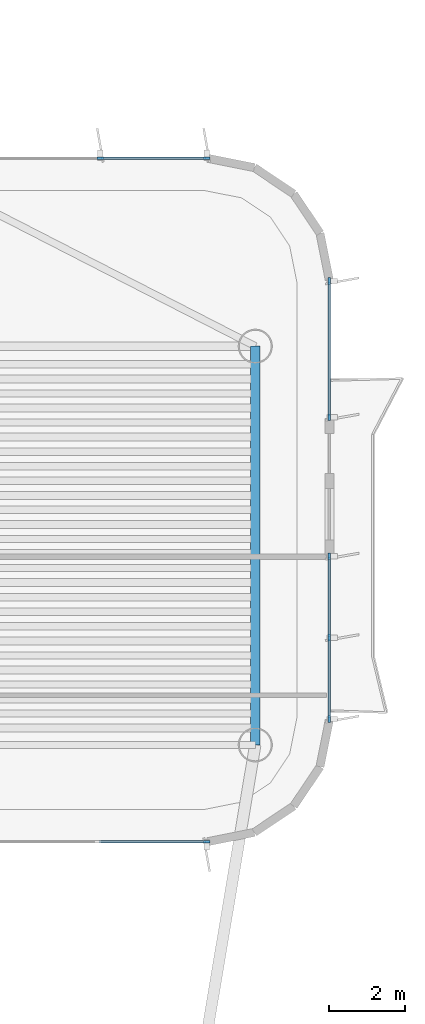
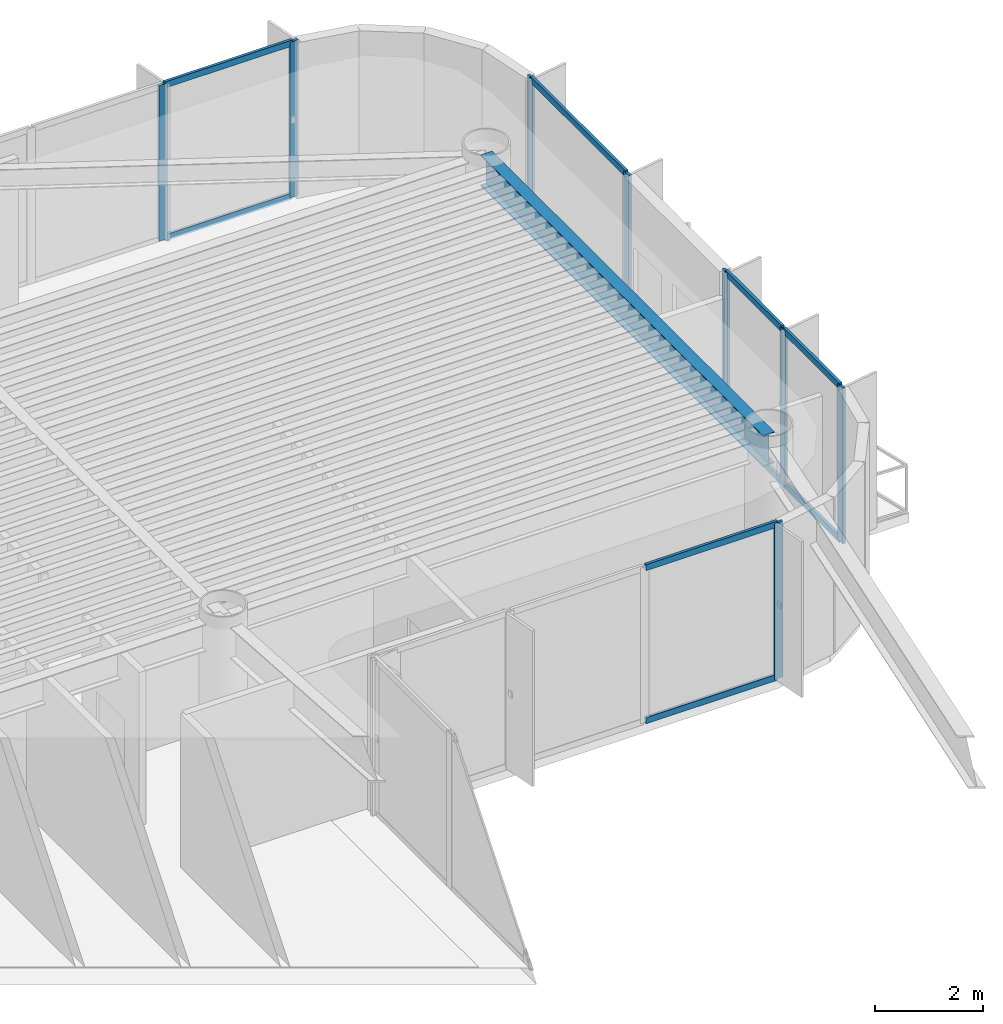
# One storey, part 8 of 15: 18 members, 1 beam, 4 elements without a shape of their own.
"""IFC4 building model written with IfcOpenShell, lengths in metres."""

from ifc_helpers import new_model, si_unit, direction, frame, origin, origin_2d, place, context, subcontext, project, spatial, rectangle, i_section, extrude, source, transform, mapped, material, layer, layer_set, material_profile, profile_set, type_object, element, aggregate, save


model = new_model("IFC4")

# Units and contexts
model_context = context("Model", 3, precision=1e-05, world=origin(), true_north=direction((0.0, 1.0)))
body_context = subcontext(model_context, "Body", "Model", "MODEL_VIEW")
ifc_project = project(units=[si_unit("LENGTHUNIT", "METRE"), si_unit("AREAUNIT", "SQUARE_METRE"), si_unit("VOLUMEUNIT", "CUBIC_METRE"), si_unit("PLANEANGLEUNIT", "RADIAN"), si_unit("MASSUNIT", "GRAM", prefix="KILO")], contexts=[model_context])

# Site, building, storey
site_placement = place(None, origin())
site = spatial("IfcSite", under=ifc_project, at=site_placement, CompositionType="ELEMENT")
building_placement = place(site_placement, origin())
building = spatial("IfcBuilding", under=site, at=building_placement, Name="Brelvock Crest Care Tower", CompositionType="ELEMENT")
storey_placement = place(building_placement, frame((0.0, 0.0, 241.919921875)))
storey = spatial("IfcBuildingStorey", under=building, at=storey_placement, Name="L61", CompositionType="ELEMENT", Elevation=241.919921875)

# Beam
ifc_material_1 = material(Name="Steel Grade 350", Category="steel")
ifc_material_profile_1 = material_profile(ifc_material_1, i_section(OverallWidth=0.25, OverallDepth=0.699951171875, WebThickness=0.011962890625, FlangeThickness=0.02001953125, at=origin_2d()), Name="700WB150")
ifc_profile_set_1 = profile_set([ifc_material_profile_1], Name="Steel Grade 350")
beam_type = type_object("IfcBeamType", Name="BM-G4", PredefinedType="BEAM", material=ifc_profile_set_1)
shared_shape_1 = source(origin(), body_context, "Body", "SweptSolid", [
    extrude(i_section(OverallWidth=0.25, OverallDepth=0.699951171875, WebThickness=0.011962890625, FlangeThickness=0.02001953125, at=origin_2d()), origin(), (0.0, 0.0, 1.0), 10.5),
])
beam_placement = place(storey_placement, frame((52.35009765625, 43.949951171875, 3.18017578125), z_axis=(0.0, 1.0, 0.0), x_axis=(-1.0, 0.0, 0.0)))
element("IfcBeam", 1, at=beam_placement, inside=storey, type_object=beam_type, Name="BM-TWR-L61-02", PredefinedType="BEAM", context=body_context, shape_type="MappedRepresentation", body=[
    mapped(shared_shape_1, transform((0.0, 0.0, 0.0), x_axis=(1.0, 0.0, 0.0), y_axis=(0.0, 1.0, 0.0), z_axis=(0.0, 0.0, 1.0), scale=1.0)),
])

# Curtain wall, members
ifc_material_2 = material(Name="Dark Glass Double Glazed Low-E", Category="glass")
ifc_layer = layer(ifc_material_2, 0.239990234375, Name="CWS-5")
ifc_layer_set = layer_set([ifc_layer], Name="Dark Glass Double Glazed Low-E")
curtain_wall_type = type_object("IfcCurtainWallType", Name="CWS-5", PredefinedType="NOTDEFINED", material=ifc_layer_set)
curtain_wall_1_placement = place(storey_placement, origin())
curtain_wall_1 = element("IfcCurtainWall", 2, at=curtain_wall_1_placement, inside=storey, type_object=curtain_wall_type, Name="L61 Curtain Wall E34", PredefinedType="NOTDEFINED")
ifc_material_3 = material(Name="Aluminium 6063-T6", Category="aluminium")
ifc_material_profile_2 = material_profile(ifc_material_3, rectangle(XDim=0.06005859375, YDim=0.179931640625, at=origin_2d()), Name="ALU60x180")
ifc_profile_set_2 = profile_set([ifc_material_profile_2], Name="Aluminium 6063-T6")
member_type_1 = type_object("IfcMemberType", Name="CWM-2", PredefinedType="MULLION", material=ifc_profile_set_2)
shared_shape_2 = source(origin(), body_context, "Body", "SweptSolid", [
    extrude(rectangle(XDim=0.06005859375, YDim=0.179931640625, at=origin_2d()), origin(), (0.0, 0.0, 1.0), 3.530029296875),
])
member_1_placement = place(storey_placement, frame((48.2666015625, 59.39990234375, 0.0), z_axis=(0.0, 0.0, 1.0), x_axis=(0.0, 1.0, 0.0)))
member_1 = element("IfcMember", 3, at=member_1_placement, type_object=member_type_1, Name="CW-5 mullion 3", PredefinedType="MULLION", context=body_context, shape_type="MappedRepresentation", body=[
    mapped(shared_shape_2, transform((0.0, 0.0, 0.0), x_axis=(1.0, 0.0, 0.0), y_axis=(0.0, 1.0, 0.0), z_axis=(0.0, 0.0, 1.0), scale=1.0)),
])
member_2_placement = place(storey_placement, frame((51.070068359375, 59.39990234375, 0.0), z_axis=(0.0, 0.0, 1.0), x_axis=(0.0, 1.0, 0.0)))
member_2 = element("IfcMember", 4, at=member_2_placement, type_object=member_type_1, Name="CW-5 mullion 4", PredefinedType="MULLION", context=body_context, shape_type="MappedRepresentation", body=[
    mapped(shared_shape_2, transform((0.0, 0.0, 0.0), x_axis=(1.0, 0.0, 0.0), y_axis=(0.0, 1.0, 0.0), z_axis=(0.0, 0.0, 1.0), scale=1.0)),
])

curtain_wall_2_placement = place(storey_placement, origin())
curtain_wall_2 = element("IfcCurtainWall", 5, at=curtain_wall_2_placement, inside=storey, type_object=curtain_wall_type, Name="L61 Curtain Wall E39A", PredefinedType="NOTDEFINED")
member_3_placement = place(storey_placement, frame((54.300048828125, 56.169921875, 0.0), z_axis=(0.0, 0.0, 1.0), x_axis=(1.0, 0.0, 0.0)))
member_3 = element("IfcMember", 6, at=member_3_placement, type_object=member_type_1, Name="CW-5 mullion 1", PredefinedType="MULLION", context=body_context, shape_type="MappedRepresentation", body=[
    mapped(shared_shape_2, transform((0.0, 0.0, 0.0), x_axis=(1.0, 0.0, 0.0), y_axis=(0.0, 1.0, 0.0), z_axis=(0.0, 0.0, 1.0), scale=1.0)),
])
member_4_placement = place(storey_placement, frame((54.300048828125, 52.580078125, 0.0), z_axis=(0.0, 0.0, 1.0), x_axis=(1.0, 0.0, 0.0)))
member_4 = element("IfcMember", 7, at=member_4_placement, type_object=member_type_1, Name="CW-5 mullion 2", PredefinedType="MULLION", context=body_context, shape_type="MappedRepresentation", body=[
    mapped(shared_shape_2, transform((0.0, 0.0, 0.0), x_axis=(1.0, 0.0, 0.0), y_axis=(0.0, 1.0, 0.0), z_axis=(0.0, 0.0, 1.0), scale=1.0)),
])

curtain_wall_3_placement = place(storey_placement, origin())
curtain_wall_3 = element("IfcCurtainWall", 8, at=curtain_wall_3_placement, inside=storey, type_object=curtain_wall_type, Name="L61 Curtain Wall E39B", PredefinedType="NOTDEFINED")
member_5_placement = place(storey_placement, frame((54.300048828125, 48.919921875, 0.0), z_axis=(0.0, 0.0, 1.0), x_axis=(1.0, 0.0, 0.0)))
member_5 = element("IfcMember", 9, at=member_5_placement, type_object=member_type_1, Name="CW-5 mullion 1", PredefinedType="MULLION", context=body_context, shape_type="MappedRepresentation", body=[
    mapped(shared_shape_2, transform((0.0, 0.0, 0.0), x_axis=(1.0, 0.0, 0.0), y_axis=(0.0, 1.0, 0.0), z_axis=(0.0, 0.0, 1.0), scale=1.0)),
])
member_6_placement = place(storey_placement, frame((54.300048828125, 46.77490234375, 0.0), z_axis=(0.0, 0.0, 1.0), x_axis=(1.0, 0.0, 0.0)))
member_6 = element("IfcMember", 10, at=member_6_placement, type_object=member_type_1, Name="CW-5 mullion 2", PredefinedType="MULLION", context=body_context, shape_type="MappedRepresentation", body=[
    mapped(shared_shape_2, transform((0.0, 0.0, 0.0), x_axis=(1.0, 0.0, 0.0), y_axis=(0.0, 1.0, 0.0), z_axis=(0.0, 0.0, 1.0), scale=1.0)),
])
member_7_placement = place(storey_placement, frame((54.300048828125, 44.6298828125, 0.0), z_axis=(0.0, 0.0, 1.0), x_axis=(1.0, 0.0, 0.0)))
member_7 = element("IfcMember", 11, at=member_7_placement, type_object=member_type_1, Name="CW-5 mullion 3", PredefinedType="MULLION", context=body_context, shape_type="MappedRepresentation", body=[
    mapped(shared_shape_2, transform((0.0, 0.0, 0.0), x_axis=(1.0, 0.0, 0.0), y_axis=(0.0, 1.0, 0.0), z_axis=(0.0, 0.0, 1.0), scale=1.0)),
])

curtain_wall_4_placement = place(storey_placement, origin())
curtain_wall_4 = element("IfcCurtainWall", 12, at=curtain_wall_4_placement, inside=storey, type_object=curtain_wall_type, Name="L61 Curtain Wall E44", PredefinedType="NOTDEFINED")
member_8_placement = place(storey_placement, frame((51.070068359375, 41.39990234375, 0.0), z_axis=(0.0, 0.0, 1.0), x_axis=(0.0, -1.0, 0.0)))
member_8 = element("IfcMember", 13, at=member_8_placement, type_object=member_type_1, Name="CW-5 mullion 1", PredefinedType="MULLION", context=body_context, shape_type="MappedRepresentation", body=[
    mapped(shared_shape_2, transform((0.0, 0.0, 0.0), x_axis=(1.0, 0.0, 0.0), y_axis=(0.0, 1.0, 0.0), z_axis=(0.0, 0.0, 1.0), scale=1.0)),
])
ifc_material_profile_3 = material_profile(ifc_material_3, rectangle(XDim=0.06005859375, YDim=0.139892578125, at=origin_2d()), Name="ALU60x140")
ifc_profile_set_3 = profile_set([ifc_material_profile_3], Name="Aluminium 6063-T6")
member_type_2 = type_object("IfcMemberType", Name="CWT-2", PredefinedType="USERDEFINED", material=ifc_profile_set_3)
shared_shape_3 = source(origin(), body_context, "Body", "SweptSolid", [
    extrude(rectangle(XDim=0.06005859375, YDim=0.139892578125, at=origin_2d()), origin(), (0.0, 0.0, 1.0), 2.81005859375),
])
member_9_placement = place(storey_placement, frame((51.0400390625, 41.39990234375, 0.030029296875), z_axis=(-1.0, 0.0, 0.0), x_axis=(0.0, -1.0, 0.0)))
member_9 = element("IfcMember", 14, at=member_9_placement, type_object=member_type_2, Name="CW-5 transom 1.1", ObjectType="TRANSOM", PredefinedType="USERDEFINED", context=body_context, shape_type="MappedRepresentation", body=[
    mapped(shared_shape_3, transform((0.0, 0.0, 0.0), x_axis=(1.0, 0.0, 0.0), y_axis=(0.0, 1.0, 0.0), z_axis=(0.0, 0.0, 1.0), scale=1.0)),
])
member_10_placement = place(storey_placement, frame((51.0400390625, 41.39990234375, 3.5), z_axis=(-1.0, 0.0, 0.0), x_axis=(0.0, -1.0, 0.0)))
member_10 = element("IfcMember", 15, at=member_10_placement, type_object=member_type_2, Name="CW-5 transom 1.2", ObjectType="TRANSOM", PredefinedType="USERDEFINED", context=body_context, shape_type="MappedRepresentation", body=[
    mapped(shared_shape_3, transform((0.0, 0.0, 0.0), x_axis=(1.0, 0.0, 0.0), y_axis=(0.0, 1.0, 0.0), z_axis=(0.0, 0.0, 1.0), scale=1.0)),
])
aggregate(curtain_wall_4, [member_8, member_9, member_10])

# Member
shared_shape_4 = source(origin(), body_context, "Body", "SweptSolid", [
    extrude(rectangle(XDim=0.06005859375, YDim=0.139892578125, at=origin_2d()), origin(), (0.0, 0.0, 1.0), 2.743408203125),
])
member_11_placement = place(storey_placement, frame((48.296630859375, 59.39990234375, 0.030029296875), z_axis=(1.0, 0.0, 0.0), x_axis=(0.0, 1.0, 0.0)))
member_11 = element("IfcMember", 16, at=member_11_placement, type_object=member_type_2, Name="CW-5 transom 3.1", ObjectType="TRANSOM", PredefinedType="USERDEFINED", context=body_context, shape_type="MappedRepresentation", body=[
    mapped(shared_shape_4, transform((0.0, 0.0, 0.0), x_axis=(1.0, 0.0, 0.0), y_axis=(0.0, 1.0, 0.0), z_axis=(0.0, 0.0, 1.0), scale=1.0)),
])

member_12_placement = place(storey_placement, frame((48.296630859375, 59.39990234375, 3.5), z_axis=(1.0, 0.0, 0.0), x_axis=(0.0, 1.0, 0.0)))
member_12 = element("IfcMember", 17, at=member_12_placement, type_object=member_type_2, Name="CW-5 transom 3.2", ObjectType="TRANSOM", PredefinedType="USERDEFINED", context=body_context, shape_type="MappedRepresentation", body=[
    mapped(shared_shape_4, transform((0.0, 0.0, 0.0), x_axis=(1.0, 0.0, 0.0), y_axis=(0.0, 1.0, 0.0), z_axis=(0.0, 0.0, 1.0), scale=1.0)),
])

aggregate(curtain_wall_1, [member_1, member_2, member_11, member_12])

shared_shape_5 = source(origin(), body_context, "Body", "SweptSolid", [
    extrude(rectangle(XDim=0.06005859375, YDim=0.139892578125, at=origin_2d()), origin(), (0.0, 0.0, 1.0), 2.085205078125),
])
member_13_placement = place(storey_placement, frame((54.300048828125, 46.7451171875, 0.030029296875), z_axis=(0.0, -1.0, 0.0), x_axis=(1.0, 0.0, 0.0)))
member_13 = element("IfcMember", 18, at=member_13_placement, type_object=member_type_2, Name="CW-5 transom 2.1", ObjectType="TRANSOM", PredefinedType="USERDEFINED", context=body_context, shape_type="MappedRepresentation", body=[
    mapped(shared_shape_5, transform((0.0, 0.0, 0.0), x_axis=(1.0, 0.0, 0.0), y_axis=(0.0, 1.0, 0.0), z_axis=(0.0, 0.0, 1.0), scale=1.0)),
])

member_14_placement = place(storey_placement, frame((54.300048828125, 46.7451171875, 3.5), z_axis=(0.0, -1.0, 0.0), x_axis=(1.0, 0.0, 0.0)))
member_14 = element("IfcMember", 19, at=member_14_placement, type_object=member_type_2, Name="CW-5 transom 2.2", ObjectType="TRANSOM", PredefinedType="USERDEFINED", context=body_context, shape_type="MappedRepresentation", body=[
    mapped(shared_shape_5, transform((0.0, 0.0, 0.0), x_axis=(1.0, 0.0, 0.0), y_axis=(0.0, 1.0, 0.0), z_axis=(0.0, 0.0, 1.0), scale=1.0)),
])

shared_shape_6 = source(origin(), body_context, "Body", "SweptSolid", [
    extrude(rectangle(XDim=0.06005859375, YDim=0.139892578125, at=origin_2d()), origin(), (0.0, 0.0, 1.0), 2.0849609375),
])
member_15_placement = place(storey_placement, frame((54.300048828125, 48.889892578125, 0.030029296875), z_axis=(0.0, -1.0, 0.0), x_axis=(1.0, 0.0, 0.0)))
member_15 = element("IfcMember", 20, at=member_15_placement, type_object=member_type_2, Name="CW-5 transom 1.1", ObjectType="TRANSOM", PredefinedType="USERDEFINED", context=body_context, shape_type="MappedRepresentation", body=[
    mapped(shared_shape_6, transform((0.0, 0.0, 0.0), x_axis=(1.0, 0.0, 0.0), y_axis=(0.0, 1.0, 0.0), z_axis=(0.0, 0.0, 1.0), scale=1.0)),
])

member_16_placement = place(storey_placement, frame((54.300048828125, 48.889892578125, 3.5), z_axis=(0.0, -1.0, 0.0), x_axis=(1.0, 0.0, 0.0)))
member_16 = element("IfcMember", 21, at=member_16_placement, type_object=member_type_2, Name="CW-5 transom 1.2", ObjectType="TRANSOM", PredefinedType="USERDEFINED", context=body_context, shape_type="MappedRepresentation", body=[
    mapped(shared_shape_6, transform((0.0, 0.0, 0.0), x_axis=(1.0, 0.0, 0.0), y_axis=(0.0, 1.0, 0.0), z_axis=(0.0, 0.0, 1.0), scale=1.0)),
])

aggregate(curtain_wall_3, [member_5, member_6, member_7, member_15, member_16, member_13, member_14])

shared_shape_7 = source(origin(), body_context, "Body", "SweptSolid", [
    extrude(rectangle(XDim=0.06005859375, YDim=0.139892578125, at=origin_2d()), origin(), (0.0, 0.0, 1.0), 3.52978515625),
])
member_17_placement = place(storey_placement, frame((54.300048828125, 56.139892578125, 0.030029296875), z_axis=(0.0, -1.0, 0.0), x_axis=(1.0, 0.0, 0.0)))
member_17 = element("IfcMember", 22, at=member_17_placement, type_object=member_type_2, Name="CW-5 transom 1.1", ObjectType="TRANSOM", PredefinedType="USERDEFINED", context=body_context, shape_type="MappedRepresentation", body=[
    mapped(shared_shape_7, transform((0.0, 0.0, 0.0), x_axis=(1.0, 0.0, 0.0), y_axis=(0.0, 1.0, 0.0), z_axis=(0.0, 0.0, 1.0), scale=1.0)),
])

member_18_placement = place(storey_placement, frame((54.300048828125, 56.139892578125, 3.5), z_axis=(0.0, -1.0, 0.0), x_axis=(1.0, 0.0, 0.0)))
member_18 = element("IfcMember", 23, at=member_18_placement, type_object=member_type_2, Name="CW-5 transom 1.2", ObjectType="TRANSOM", PredefinedType="USERDEFINED", context=body_context, shape_type="MappedRepresentation", body=[
    mapped(shared_shape_7, transform((0.0, 0.0, 0.0), x_axis=(1.0, 0.0, 0.0), y_axis=(0.0, 1.0, 0.0), z_axis=(0.0, 0.0, 1.0), scale=1.0)),
])

aggregate(curtain_wall_2, [member_3, member_4, member_17, member_18])

save(model, "model.ifc")
